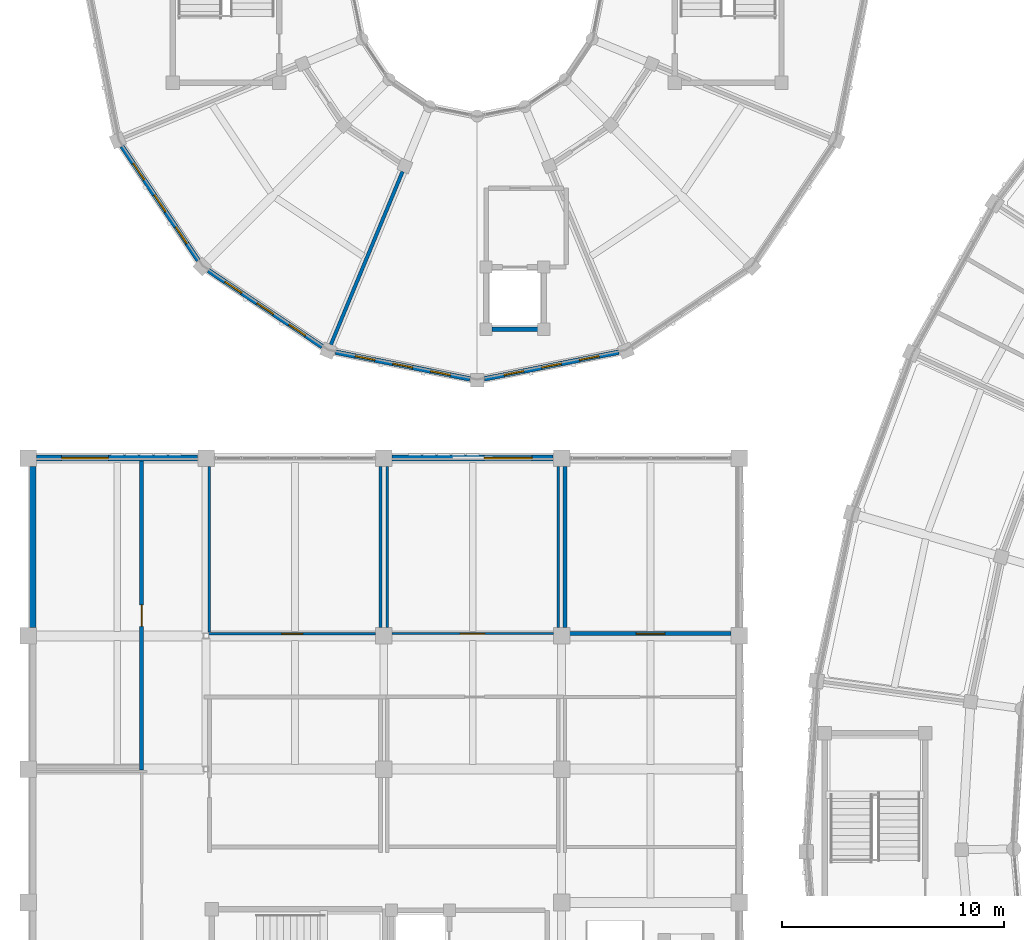
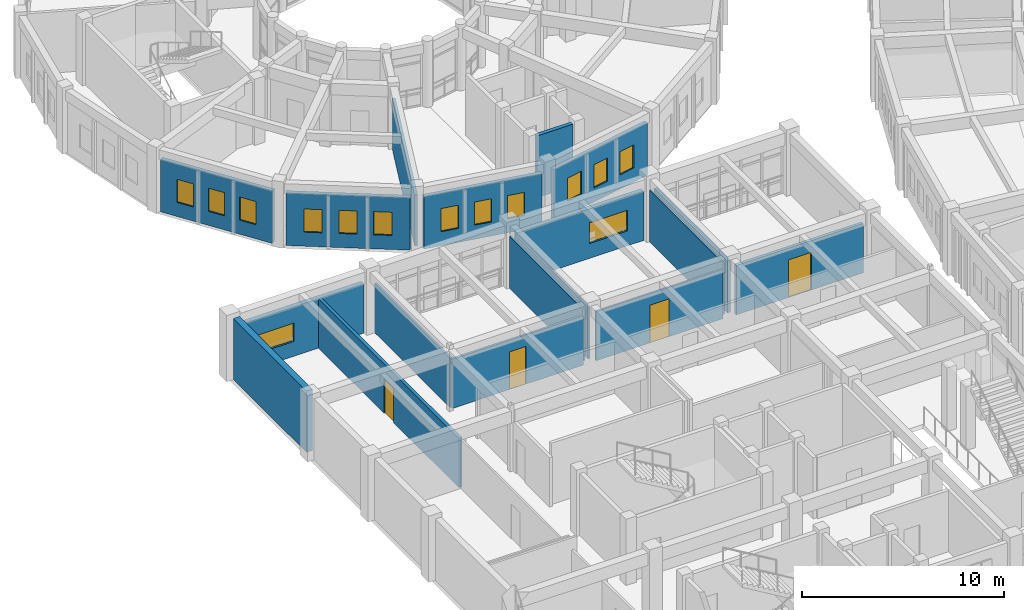
# One storey, part 126 of 159: 18 walls, 14 windows, 4 doors, 18 openings.
"""IFC4 building model written with IfcOpenShell, lengths in metres."""

from ifc_helpers import new_model, si_unit, direction, frame, frame_2d, origin, place, context, subcontext, project, spatial, rectangle, extrude, material, layer, layer_set, type_object, element, fill, save


model = new_model("IFC4")

# Units and contexts
model_context = context("Model", 3, precision=1e-05, world=origin(), true_north=direction((0.0, 1.0)))
body_context = subcontext(model_context, "Body", "Model", "MODEL_VIEW")
ifc_project = project(units=[si_unit("LENGTHUNIT", "METRE"), si_unit("AREAUNIT", "SQUARE_METRE"), si_unit("VOLUMEUNIT", "CUBIC_METRE"), si_unit("PLANEANGLEUNIT", "RADIAN"), si_unit("MASSUNIT", "GRAM", prefix="KILO")], contexts=[model_context])

# Site, building, storey
site_placement = place(None, origin())
site = spatial("IfcSite", under=ifc_project, at=site_placement, CompositionType="ELEMENT")
building_placement = place(site_placement, origin())
building = spatial("IfcBuilding", under=site, at=building_placement, Name="Celadon Cloister-Ring School", CompositionType="ELEMENT")
storey_placement = place(building_placement, frame((0.0, 0.0, 4.5)))
storey = spatial("IfcBuildingStorey", under=building, at=storey_placement, Name="L01", CompositionType="ELEMENT", Elevation=4.5)

# Wall, opening, window
ifc_material_1 = material(Name="Rendered concrete blockwork", Category="masonry")
ifc_layer_1 = layer(ifc_material_1, 0.260009765625)
ifc_layer_set_1 = layer_set([ifc_layer_1], Name="Rendered concrete blockwork")
wall_type_1 = type_object("IfcWallType", Name="WT-EX2", PredefinedType="SOLIDWALL", material=ifc_layer_set_1)
wall_1_placement = place(storey_placement, frame((0.376953125, 76.0, 0.0), z_axis=(0.0, 0.0, 1.0), x_axis=(1.0, 0.0, 0.0)))
wall_1 = element("IfcWall", 1, at=wall_1_placement, inside=storey, type_object=wall_type_1, Name="Exterior Wall 0501", PredefinedType="SOLIDWALL", context=body_context, shape_type="SweptSolid", body=[
    extrude(rectangle(XDim=7.24609375, YDim=0.260009765625, at=frame_2d((3.623046875, 0.0))), origin(), (0.0, 0.0, 1.0), 2.98193359375),
])
opening_1_placement = place(wall_1_placement, frame((1.1240234375, 0.0, 0.89990234375)))
opening_1 = element("IfcOpeningElement", 2, at=opening_1_placement, cuts=wall_1, Name="Opening WN-09", PredefinedType="OPENING", context=body_context, shape_type="SweptSolid", body=[
    extrude(rectangle(XDim=2.10009765625, YDim=1.10009765625, at=frame_2d((1.050048828125, 0.550048828125))), frame((0.0, 0.14013671875, 0.0), z_axis=(0.0, -1.0, 0.0), x_axis=(1.0, 0.0, 0.0)), (0.0, 0.0, 1.0), 0.280029296875),
])
ifc_material_2 = material(Name="Tempered laminated insulating glass", Category="glass")
window_type_1 = type_object("IfcWindowType", Name="WN-09", PartitioningType="DOUBLE_PANEL_VERTICAL", PredefinedType="WINDOW", material=ifc_material_2)
window_1_placement = place(opening_1_placement, origin())
window_1 = element("IfcWindow", 3, at=window_1_placement, inside=storey, type_object=window_type_1, Name="Window 0998", OverallHeight=1.10009765625, OverallWidth=2.10009765625, PartitioningType="SINGLE_PANEL", PredefinedType="WINDOW", context=body_context, shape_type="SweptSolid", body=[
    extrude(rectangle(XDim=2.10009765625, YDim=1.10009765625, at=frame_2d((1.050048828125, 0.550048828125))), frame((0.0, 0.030029296875, 0.0), z_axis=(0.0, -1.0, 0.0), x_axis=(1.0, 0.0, 0.0)), (0.0, 0.0, 1.0), 0.06005859375),
])
fill(opening_1, window_1)

wall_2_placement = place(storey_placement, frame((16.376953125, 76.0, 0.0), z_axis=(0.0, 0.0, 1.0), x_axis=(1.0, 0.0, 0.0)))
wall_2 = element("IfcWall", 4, at=wall_2_placement, inside=storey, type_object=wall_type_1, Name="Exterior Wall 0502", PredefinedType="SOLIDWALL", context=body_context, shape_type="SweptSolid", body=[
    extrude(rectangle(XDim=7.24609375, YDim=0.260009765625, at=frame_2d((3.623046875, 0.0))), origin(), (0.0, 0.0, 1.0), 2.98193359375),
])
opening_2_placement = place(wall_2_placement, frame((4.14208984375, 0.0, 0.89990234375)))
opening_2 = element("IfcOpeningElement", 5, at=opening_2_placement, cuts=wall_2, Name="Opening WN-19", PredefinedType="OPENING", context=body_context, shape_type="SweptSolid", body=[
    extrude(rectangle(XDim=2.14990234375, YDim=1.25, at=frame_2d((1.074951171875, 0.625))), frame((0.0, 0.14013671875, 0.0), z_axis=(0.0, -1.0, 0.0), x_axis=(1.0, 0.0, 0.0)), (0.0, 0.0, 1.0), 0.280029296875),
])
ifc_material_3 = material(Name="Tempered laminated insulating glass", Category="glass")
window_type_2 = type_object("IfcWindowType", Name="WN-19", PartitioningType="DOUBLE_PANEL_VERTICAL", PredefinedType="WINDOW", material=ifc_material_3)
window_2_placement = place(opening_2_placement, origin())
window_2 = element("IfcWindow", 6, at=window_2_placement, inside=storey, type_object=window_type_2, Name="Window 0999", OverallHeight=1.25, OverallWidth=2.14990234375, PartitioningType="SINGLE_PANEL", PredefinedType="WINDOW", context=body_context, shape_type="SweptSolid", body=[
    extrude(rectangle(XDim=2.14990234375, YDim=1.25, at=frame_2d((1.074951171875, 0.625))), frame((0.0, 0.030029296875, 0.0), z_axis=(0.0, -1.0, 0.0), x_axis=(1.0, 0.0, 0.0)), (0.0, 0.0, 1.0), 0.06005859375),
])
fill(opening_2, window_2)

# Wall, openings, windows
ifc_material_4 = material(Name="Perforated terracotta clay brick masonry", Category="masonry")
ifc_layer_2 = layer(ifc_material_4, 0.219970703125)
ifc_layer_set_2 = layer_set([ifc_layer_2], Name="Perforated terracotta clay brick masonry")
wall_type_2 = type_object("IfcWallType", Name="WT-EX4", PredefinedType="SOLIDWALL", material=ifc_layer_set_2)
wall_3_placement = place(storey_placement, frame((7.64306640625, 84.89990234375, 0.0), z_axis=(0.0, 0.0, 1.0), x_axis=(-0.555658736667, 0.831410469242, 0.0)))
wall_3 = element("IfcWall", 7, at=wall_3_placement, inside=storey, type_object=wall_type_2, Name="Exterior Wall 0242", PredefinedType="SOLIDWALL", context=body_context, shape_type="SweptSolid", body=[
    extrude(rectangle(XDim=6.169189453125, YDim=0.219970703125, at=frame_2d((3.08447265625, 0.0))), origin(), (0.0, 0.0, 1.0), 3.172119140625),
])
opening_3_placement = place(wall_3_placement, frame((0.906982421875, 0.0, 0.85009765625)))
opening_3 = element("IfcOpeningElement", 8, at=opening_3_placement, cuts=wall_3, Name="Opening WN-21", PredefinedType="OPENING", context=body_context, shape_type="SweptSolid", body=[
    extrude(rectangle(XDim=0.89990234375, YDim=1.39990234375, at=frame_2d((0.449951171875, 0.699951171875))), frame((0.0, 0.1201171875, 0.0), z_axis=(0.0, -1.0, 0.0), x_axis=(1.0, 0.0, 0.0)), (0.0, 0.0, 1.0), 0.239990234375),
])
opening_4_placement = place(wall_3_placement, frame((2.635009765625, 0.0, 0.85009765625)))
opening_4 = element("IfcOpeningElement", 9, at=opening_4_placement, cuts=wall_3, Name="Opening WN-21", PredefinedType="OPENING", context=body_context, shape_type="SweptSolid", body=[
    extrude(rectangle(XDim=0.89990234375, YDim=1.39990234375, at=frame_2d((0.449951171875, 0.699951171875))), frame((0.0, 0.1201171875, 0.0), z_axis=(0.0, -1.0, 0.0), x_axis=(1.0, 0.0, 0.0)), (0.0, 0.0, 1.0), 0.239990234375),
])
opening_5_placement = place(wall_3_placement, frame((4.362060546875, 0.0, 0.85009765625)))
opening_5 = element("IfcOpeningElement", 10, at=opening_5_placement, cuts=wall_3, Name="Opening WN-21", PredefinedType="OPENING", context=body_context, shape_type="SweptSolid", body=[
    extrude(rectangle(XDim=0.89990234375, YDim=1.39990234375, at=frame_2d((0.449951171875, 0.699951171875))), frame((0.0, 0.1201171875, 0.0), z_axis=(0.0, -1.0, 0.0), x_axis=(1.0, 0.0, 0.0)), (0.0, 0.0, 1.0), 0.239990234375),
])
ifc_material_5 = material(Name="Tempered laminated insulating glass", Category="glass")
window_type_3 = type_object("IfcWindowType", Name="WN-21", PartitioningType="SINGLE_PANEL", PredefinedType="WINDOW", material=ifc_material_5)
window_3_placement = place(opening_3_placement, origin())
window_3 = element("IfcWindow", 11, at=window_3_placement, inside=storey, type_object=window_type_3, Name="Window 0646", OverallHeight=1.39990234375, OverallWidth=0.89990234375, PartitioningType="SINGLE_PANEL", PredefinedType="WINDOW", context=body_context, shape_type="SweptSolid", body=[
    extrude(rectangle(XDim=0.89990234375, YDim=1.39990234375, at=frame_2d((0.449951171875, 0.699951171875))), frame((0.0, 0.030029296875, 0.0), z_axis=(0.0, -1.0, 0.0), x_axis=(1.0, 0.0, 0.0)), (0.0, 0.0, 1.0), 0.06005859375),
])
fill(opening_3, window_3)
window_4_placement = place(opening_4_placement, origin())
window_4 = element("IfcWindow", 12, at=window_4_placement, inside=storey, type_object=window_type_3, Name="Window 0647", OverallHeight=1.39990234375, OverallWidth=0.89990234375, PartitioningType="SINGLE_PANEL", PredefinedType="WINDOW", context=body_context, shape_type="SweptSolid", body=[
    extrude(rectangle(XDim=0.89990234375, YDim=1.39990234375, at=frame_2d((0.449951171875, 0.699951171875))), frame((0.0, 0.030029296875, 0.0), z_axis=(0.0, -1.0, 0.0), x_axis=(1.0, 0.0, 0.0)), (0.0, 0.0, 1.0), 0.06005859375),
])
fill(opening_4, window_4)
window_5_placement = place(opening_5_placement, origin())
window_5 = element("IfcWindow", 13, at=window_5_placement, inside=storey, type_object=window_type_3, Name="Window 0648", OverallHeight=1.39990234375, OverallWidth=0.89990234375, PartitioningType="SINGLE_PANEL", PredefinedType="WINDOW", context=body_context, shape_type="SweptSolid", body=[
    extrude(rectangle(XDim=0.89990234375, YDim=1.39990234375, at=frame_2d((0.449951171875, 0.699951171875))), frame((0.0, 0.030029296875, 0.0), z_axis=(0.0, -1.0, 0.0), x_axis=(1.0, 0.0, 0.0)), (0.0, 0.0, 1.0), 0.06005859375),
])
fill(opening_5, window_5)

wall_4_placement = place(storey_placement, frame((13.22900390625, 81.014892578125, 0.0), z_axis=(0.0, 0.0, 1.0), x_axis=(-0.831379966495, 0.555704374025, 0.0)))
wall_4 = element("IfcWall", 14, at=wall_4_placement, inside=storey, type_object=wall_type_2, Name="Exterior Wall 0243", PredefinedType="SOLIDWALL", context=body_context, shape_type="SweptSolid", body=[
    extrude(rectangle(XDim=6.169189453125, YDim=0.219970703125, at=frame_2d((3.08447265625, 0.0))), origin(), (0.0, 0.0, 1.0), 3.172119140625),
])
opening_6_placement = place(wall_4_placement, frame((0.906982421875, 0.0, 0.85009765625)))
opening_6 = element("IfcOpeningElement", 15, at=opening_6_placement, cuts=wall_4, Name="Opening WN-21", PredefinedType="OPENING", context=body_context, shape_type="SweptSolid", body=[
    extrude(rectangle(XDim=0.89990234375, YDim=1.39990234375, at=frame_2d((0.449951171875, 0.699951171875))), frame((0.0, 0.1201171875, 0.0), z_axis=(0.0, -1.0, 0.0), x_axis=(1.0, 0.0, 0.0)), (0.0, 0.0, 1.0), 0.239990234375),
])
opening_7_placement = place(wall_4_placement, frame((2.635009765625, 0.0, 0.85009765625)))
opening_7 = element("IfcOpeningElement", 16, at=opening_7_placement, cuts=wall_4, Name="Opening WN-21", PredefinedType="OPENING", context=body_context, shape_type="SweptSolid", body=[
    extrude(rectangle(XDim=0.89990234375, YDim=1.39990234375, at=frame_2d((0.449951171875, 0.699951171875))), frame((0.0, 0.1201171875, 0.0), z_axis=(0.0, -1.0, 0.0), x_axis=(1.0, 0.0, 0.0)), (0.0, 0.0, 1.0), 0.239990234375),
])
opening_8_placement = place(wall_4_placement, frame((4.362060546875, 0.0, 0.85009765625)))
opening_8 = element("IfcOpeningElement", 17, at=opening_8_placement, cuts=wall_4, Name="Opening WN-21", PredefinedType="OPENING", context=body_context, shape_type="SweptSolid", body=[
    extrude(rectangle(XDim=0.89990234375, YDim=1.39990234375, at=frame_2d((0.449951171875, 0.699951171875))), frame((0.0, 0.1201171875, 0.0), z_axis=(0.0, -1.0, 0.0), x_axis=(1.0, 0.0, 0.0)), (0.0, 0.0, 1.0), 0.239990234375),
])
window_6_placement = place(opening_6_placement, origin())
window_6 = element("IfcWindow", 18, at=window_6_placement, inside=storey, type_object=window_type_3, Name="Window 0649", OverallHeight=1.39990234375, OverallWidth=0.89990234375, PartitioningType="SINGLE_PANEL", PredefinedType="WINDOW", context=body_context, shape_type="SweptSolid", body=[
    extrude(rectangle(XDim=0.89990234375, YDim=1.39990234375, at=frame_2d((0.449951171875, 0.699951171875))), frame((0.0, 0.030029296875, 0.0), z_axis=(0.0, -1.0, 0.0), x_axis=(1.0, 0.0, 0.0)), (0.0, 0.0, 1.0), 0.06005859375),
])
fill(opening_6, window_6)
window_7_placement = place(opening_7_placement, origin())
window_7 = element("IfcWindow", 19, at=window_7_placement, inside=storey, type_object=window_type_3, Name="Window 0650", OverallHeight=1.39990234375, OverallWidth=0.89990234375, PartitioningType="SINGLE_PANEL", PredefinedType="WINDOW", context=body_context, shape_type="SweptSolid", body=[
    extrude(rectangle(XDim=0.89990234375, YDim=1.39990234375, at=frame_2d((0.449951171875, 0.699951171875))), frame((0.0, 0.030029296875, 0.0), z_axis=(0.0, -1.0, 0.0), x_axis=(1.0, 0.0, 0.0)), (0.0, 0.0, 1.0), 0.06005859375),
])
fill(opening_7, window_7)
window_8_placement = place(opening_8_placement, origin())
window_8 = element("IfcWindow", 20, at=window_8_placement, inside=storey, type_object=window_type_3, Name="Window 0651", OverallHeight=1.39990234375, OverallWidth=0.89990234375, PartitioningType="SINGLE_PANEL", PredefinedType="WINDOW", context=body_context, shape_type="SweptSolid", body=[
    extrude(rectangle(XDim=0.89990234375, YDim=1.39990234375, at=frame_2d((0.449951171875, 0.699951171875))), frame((0.0, 0.030029296875, 0.0), z_axis=(0.0, -1.0, 0.0), x_axis=(1.0, 0.0, 0.0)), (0.0, 0.0, 1.0), 0.06005859375),
])
fill(opening_8, window_8)

wall_5_placement = place(storey_placement, frame((19.876953125, 79.56396484375, 0.0), z_axis=(0.0, 0.0, 1.0), x_axis=(-0.980770460131, 0.195164813773, 0.0)))
wall_5 = element("IfcWall", 21, at=wall_5_placement, inside=storey, type_object=wall_type_2, Name="Exterior Wall 0245", PredefinedType="SOLIDWALL", context=body_context, shape_type="SweptSolid", body=[
    extrude(rectangle(XDim=6.169677734375, YDim=0.219970703125, at=frame_2d((3.0849609375, 0.0))), origin(), (0.0, 0.0, 1.0), 3.172119140625),
])
opening_9_placement = place(wall_5_placement, frame((0.906982421875, 0.0, 0.85009765625)))
opening_9 = element("IfcOpeningElement", 22, at=opening_9_placement, cuts=wall_5, Name="Opening WN-21", PredefinedType="OPENING", context=body_context, shape_type="SweptSolid", body=[
    extrude(rectangle(XDim=0.89990234375, YDim=1.39990234375, at=frame_2d((0.449951171875, 0.699951171875))), frame((0.0, 0.1201171875, 0.0), z_axis=(0.0, -1.0, 0.0), x_axis=(1.0, 0.0, 0.0)), (0.0, 0.0, 1.0), 0.239990234375),
])
opening_10_placement = place(wall_5_placement, frame((2.635009765625, 0.0, 0.85009765625)))
opening_10 = element("IfcOpeningElement", 23, at=opening_10_placement, cuts=wall_5, Name="Opening WN-21", PredefinedType="OPENING", context=body_context, shape_type="SweptSolid", body=[
    extrude(rectangle(XDim=0.89990234375, YDim=1.39990234375, at=frame_2d((0.449951171875, 0.699951171875))), frame((0.0, 0.1201171875, 0.0), z_axis=(0.0, -1.0, 0.0), x_axis=(1.0, 0.0, 0.0)), (0.0, 0.0, 1.0), 0.239990234375),
])
opening_11_placement = place(wall_5_placement, frame((4.362060546875, 0.0, 0.85009765625)))
opening_11 = element("IfcOpeningElement", 24, at=opening_11_placement, cuts=wall_5, Name="Opening WN-21", PredefinedType="OPENING", context=body_context, shape_type="SweptSolid", body=[
    extrude(rectangle(XDim=0.89990234375, YDim=1.39990234375, at=frame_2d((0.449951171875, 0.699951171875))), frame((0.0, 0.1201171875, 0.0), z_axis=(0.0, -1.0, 0.0), x_axis=(1.0, 0.0, 0.0)), (0.0, 0.0, 1.0), 0.239990234375),
])
window_9_placement = place(opening_9_placement, origin())
window_9 = element("IfcWindow", 25, at=window_9_placement, inside=storey, type_object=window_type_3, Name="Window 0652", OverallHeight=1.39990234375, OverallWidth=0.89990234375, PartitioningType="SINGLE_PANEL", PredefinedType="WINDOW", context=body_context, shape_type="SweptSolid", body=[
    extrude(rectangle(XDim=0.89990234375, YDim=1.39990234375, at=frame_2d((0.449951171875, 0.699951171875))), frame((0.0, 0.030029296875, 0.0), z_axis=(0.0, -1.0, 0.0), x_axis=(1.0, 0.0, 0.0)), (0.0, 0.0, 1.0), 0.06005859375),
])
fill(opening_9, window_9)
window_10_placement = place(opening_10_placement, origin())
window_10 = element("IfcWindow", 26, at=window_10_placement, inside=storey, type_object=window_type_3, Name="Window 0653", OverallHeight=1.39990234375, OverallWidth=0.89990234375, PartitioningType="SINGLE_PANEL", PredefinedType="WINDOW", context=body_context, shape_type="SweptSolid", body=[
    extrude(rectangle(XDim=0.89990234375, YDim=1.39990234375, at=frame_2d((0.449951171875, 0.699951171875))), frame((0.0, 0.030029296875, 0.0), z_axis=(0.0, -1.0, 0.0), x_axis=(1.0, 0.0, 0.0)), (0.0, 0.0, 1.0), 0.06005859375),
])
fill(opening_10, window_10)
window_11_placement = place(opening_11_placement, origin())
window_11 = element("IfcWindow", 27, at=window_11_placement, inside=storey, type_object=window_type_3, Name="Window 0654", OverallHeight=1.39990234375, OverallWidth=0.89990234375, PartitioningType="SINGLE_PANEL", PredefinedType="WINDOW", context=body_context, shape_type="SweptSolid", body=[
    extrude(rectangle(XDim=0.89990234375, YDim=1.39990234375, at=frame_2d((0.449951171875, 0.699951171875))), frame((0.0, 0.030029296875, 0.0), z_axis=(0.0, -1.0, 0.0), x_axis=(1.0, 0.0, 0.0)), (0.0, 0.0, 1.0), 0.06005859375),
])
fill(opening_11, window_11)

wall_6_placement = place(storey_placement, frame((26.573974609375, 80.76806640625, 0.0), z_axis=(0.0, 0.0, 1.0), x_axis=(-0.980770460131, -0.195164813773, 0.0)))
wall_6 = element("IfcWall", 28, at=wall_6_placement, inside=storey, type_object=wall_type_2, Name="Exterior Wall 0246", PredefinedType="SOLIDWALL", context=body_context, shape_type="SweptSolid", body=[
    extrude(rectangle(XDim=6.169677734375, YDim=0.219970703125, at=frame_2d((3.0849609375, 0.0))), origin(), (0.0, 0.0, 1.0), 3.172119140625),
])
opening_12_placement = place(wall_6_placement, frame((0.906982421875, 0.0, 0.85009765625)))
opening_12 = element("IfcOpeningElement", 29, at=opening_12_placement, cuts=wall_6, Name="Opening WN-21", PredefinedType="OPENING", context=body_context, shape_type="SweptSolid", body=[
    extrude(rectangle(XDim=0.89990234375, YDim=1.39990234375, at=frame_2d((0.449951171875, 0.699951171875))), frame((0.0, 0.1201171875, 0.0), z_axis=(0.0, -1.0, 0.0), x_axis=(1.0, 0.0, 0.0)), (0.0, 0.0, 1.0), 0.239990234375),
])
opening_13_placement = place(wall_6_placement, frame((2.635009765625, 0.0, 0.85009765625)))
opening_13 = element("IfcOpeningElement", 30, at=opening_13_placement, cuts=wall_6, Name="Opening WN-21", PredefinedType="OPENING", context=body_context, shape_type="SweptSolid", body=[
    extrude(rectangle(XDim=0.89990234375, YDim=1.39990234375, at=frame_2d((0.449951171875, 0.699951171875))), frame((0.0, 0.1201171875, 0.0), z_axis=(0.0, -1.0, 0.0), x_axis=(1.0, 0.0, 0.0)), (0.0, 0.0, 1.0), 0.239990234375),
])
opening_14_placement = place(wall_6_placement, frame((4.362060546875, 0.0, 0.85009765625)))
opening_14 = element("IfcOpeningElement", 31, at=opening_14_placement, cuts=wall_6, Name="Opening WN-21", PredefinedType="OPENING", context=body_context, shape_type="SweptSolid", body=[
    extrude(rectangle(XDim=0.89990234375, YDim=1.39990234375, at=frame_2d((0.449951171875, 0.699951171875))), frame((0.0, 0.1201171875, 0.0), z_axis=(0.0, -1.0, 0.0), x_axis=(1.0, 0.0, 0.0)), (0.0, 0.0, 1.0), 0.239990234375),
])
window_12_placement = place(opening_12_placement, origin())
window_12 = element("IfcWindow", 32, at=window_12_placement, inside=storey, type_object=window_type_3, Name="Window 0655", OverallHeight=1.39990234375, OverallWidth=0.89990234375, PartitioningType="SINGLE_PANEL", PredefinedType="WINDOW", context=body_context, shape_type="SweptSolid", body=[
    extrude(rectangle(XDim=0.89990234375, YDim=1.39990234375, at=frame_2d((0.449951171875, 0.699951171875))), frame((0.0, 0.030029296875, 0.0), z_axis=(0.0, -1.0, 0.0), x_axis=(1.0, 0.0, 0.0)), (0.0, 0.0, 1.0), 0.06005859375),
])
fill(opening_12, window_12)
window_13_placement = place(opening_13_placement, origin())
window_13 = element("IfcWindow", 33, at=window_13_placement, inside=storey, type_object=window_type_3, Name="Window 0656", OverallHeight=1.39990234375, OverallWidth=0.89990234375, PartitioningType="SINGLE_PANEL", PredefinedType="WINDOW", context=body_context, shape_type="SweptSolid", body=[
    extrude(rectangle(XDim=0.89990234375, YDim=1.39990234375, at=frame_2d((0.449951171875, 0.699951171875))), frame((0.0, 0.030029296875, 0.0), z_axis=(0.0, -1.0, 0.0), x_axis=(1.0, 0.0, 0.0)), (0.0, 0.0, 1.0), 0.06005859375),
])
fill(opening_13, window_13)
window_14_placement = place(opening_14_placement, origin())
window_14 = element("IfcWindow", 34, at=window_14_placement, inside=storey, type_object=window_type_3, Name="Window 0657", OverallHeight=1.39990234375, OverallWidth=0.89990234375, PartitioningType="SINGLE_PANEL", PredefinedType="WINDOW", context=body_context, shape_type="SweptSolid", body=[
    extrude(rectangle(XDim=0.89990234375, YDim=1.39990234375, at=frame_2d((0.449951171875, 0.699951171875))), frame((0.0, 0.030029296875, 0.0), z_axis=(0.0, -1.0, 0.0), x_axis=(1.0, 0.0, 0.0)), (0.0, 0.0, 1.0), 0.06005859375),
])
fill(opening_14, window_14)

# Wall
ifc_material_6 = material(Name="Concrete C40/50", Category="concrete")
ifc_layer_3 = layer(ifc_material_6, 0.35009765625)
ifc_layer_set_3 = layer_set([ifc_layer_3], Name="Concrete C40/50")
wall_type_3 = type_object("IfcWallType", Name="WT-FW2", PredefinedType="SHEAR", material=ifc_layer_set_3)
wall_7_placement = place(storey_placement, frame((0.175048828125, 68.376953125, 0.0), z_axis=(0.0, 0.0, 1.0), x_axis=(0.0, 1.0, 0.0)))
element("IfcWall", 35, at=wall_7_placement, inside=storey, type_object=wall_type_3, Name="Exterior Wall 0514", PredefinedType="SHEAR", context=body_context, shape_type="SweptSolid", body=[
    extrude(rectangle(XDim=7.24609375, YDim=0.35009765625, at=frame_2d((3.623046875, 0.0))), origin(), (0.0, 0.0, 1.0), 3.699951171875),
])

# Wall, opening, door
ifc_material_7 = material(Name="Plastered hollow concrete masonry", Category="masonry")
ifc_layer_4 = layer(ifc_material_7, 0.179931640625)
ifc_layer_set_4 = layer_set([ifc_layer_4], Name="Plastered hollow concrete masonry")
wall_type_4 = type_object("IfcWallType", Name="WT-PT2", PredefinedType="PARTITIONING", material=ifc_layer_set_4)
wall_8_placement = place(storey_placement, frame((31.633056640625, 68.10009765625, 0.0), z_axis=(0.0, 0.0, 1.0), x_axis=(-1.0, 0.0, 0.0)))
wall_8 = element("IfcWall", 36, at=wall_8_placement, inside=storey, type_object=wall_type_4, Name="Interior Wall 0999", PredefinedType="PARTITIONING", context=body_context, shape_type="SweptSolid", body=[
    extrude(rectangle(XDim=7.26611328125, YDim=0.179931640625, at=frame_2d((3.633056640625, 0.0))), origin(), (0.0, 0.0, 1.0), 2.98193359375),
])
opening_15_placement = place(wall_8_placement, frame((2.98291015625, 0.0, 0.0)))
opening_15 = element("IfcOpeningElement", 37, at=opening_15_placement, cuts=wall_8, Name="Opening D-0358", PredefinedType="OPENING", context=body_context, shape_type="SweptSolid", body=[
    extrude(rectangle(XDim=1.300048828125, YDim=2.280029296875, at=frame_2d((0.64990234375, 1.14013671875))), frame((0.0, 0.10009765625, 0.0), z_axis=(0.0, -1.0, 0.0), x_axis=(1.0, 0.0, 0.0)), (0.0, 0.0, 1.0), 0.199951171875),
])
ifc_material_8 = material(Name="Galvanised fire-rated hollow steel leaf", Category="steel")
door_type_1 = type_object("IfcDoorType", Name="DT-16", OperationType="NOTDEFINED", PredefinedType="DOOR", material=ifc_material_8)
door_1_placement = place(opening_15_placement, origin())
door_1 = element("IfcDoor", 38, at=door_1_placement, inside=storey, type_object=door_type_1, Name="Door D-0358", OperationType="SINGLE_SWING_RIGHT", OverallHeight=2.280029296875, OverallWidth=1.300048828125, PredefinedType="DOOR", context=body_context, shape_type="SweptSolid", body=[
    extrude(rectangle(XDim=1.300048828125, YDim=2.280029296875, at=frame_2d((0.64990234375, 1.14013671875))), frame((0.0, 0.02490234375, 0.0), z_axis=(0.0, -1.0, 0.0), x_axis=(1.0, 0.0, 0.0)), (0.0, 0.0, 1.0), 0.050048828125),
])
fill(opening_15, door_1)

# Wall
wall_9_placement = place(storey_placement, frame((24.14990234375, 68.366943359375, 0.0), z_axis=(0.0, 0.0, 1.0), x_axis=(0.0, 1.0, 0.0)))
element("IfcWall", 39, at=wall_9_placement, inside=storey, type_object=wall_type_4, Name="Interior Wall 1000", PredefinedType="PARTITIONING", context=body_context, shape_type="SweptSolid", body=[
    extrude(rectangle(XDim=7.26611328125, YDim=0.179931640625, at=frame_2d((3.633056640625, 0.0))), origin(), (0.0, 0.0, 1.0), 3.132080078125),
])

# Wall, opening, door
wall_10_placement = place(storey_placement, frame((5.10009765625, 75.866943359375, 0.0), z_axis=(0.0, 0.0, 1.0), x_axis=(0.0, -1.0, 0.0)))
wall_10 = element("IfcWall", 40, at=wall_10_placement, inside=storey, type_object=wall_type_4, Name="Interior Wall 1012", PredefinedType="PARTITIONING", context=body_context, shape_type="SweptSolid", body=[
    extrude(rectangle(XDim=13.9140625, YDim=0.179931640625, at=frame_2d((6.95703125, 0.0))), origin(), (0.0, 0.0, 1.0), 2.98193359375),
])
opening_16_placement = place(wall_10_placement, frame((6.47705078125, 0.0, 0.0)))
opening_16 = element("IfcOpeningElement", 41, at=opening_16_placement, cuts=wall_10, Name="Opening D-0363", PredefinedType="OPENING", context=body_context, shape_type="SweptSolid", body=[
    extrude(rectangle(XDim=0.9599609375, YDim=2.10009765625, at=frame_2d((0.47998046875, 1.050048828125))), frame((0.0, 0.10009765625, 0.0), z_axis=(0.0, -1.0, 0.0), x_axis=(1.0, 0.0, 0.0)), (0.0, 0.0, 1.0), 0.199951171875),
])
ifc_material_9 = material(Name="Solid-core fire-rated hardwood leaf", Category="wood")
door_type_2 = type_object("IfcDoorType", Name="DT-03", OperationType="NOTDEFINED", PredefinedType="DOOR", material=ifc_material_9)
door_2_placement = place(opening_16_placement, origin())
door_2 = element("IfcDoor", 42, at=door_2_placement, inside=storey, type_object=door_type_2, Name="Door D-0363", OperationType="SINGLE_SWING_LEFT", OverallHeight=2.10009765625, OverallWidth=0.9599609375, PredefinedType="DOOR", context=body_context, shape_type="SweptSolid", body=[
    extrude(rectangle(XDim=0.9599609375, YDim=2.10009765625, at=frame_2d((0.47998046875, 1.050048828125))), frame((0.0, 0.02490234375, 0.0), z_axis=(0.0, -1.0, 0.0), x_axis=(1.0, 0.0, 0.0)), (0.0, 0.0, 1.0), 0.050048828125),
])
fill(opening_16, door_2)

# Walls
ifc_material_10 = material(Name="Plastered hollow concrete masonry", Category="masonry")
ifc_layer_5 = layer(ifc_material_10, 0.159912109375)
ifc_layer_set_5 = layer_set([ifc_layer_5], Name="Plastered hollow concrete masonry")
wall_type_5 = type_object("IfcWallType", Name="WT-PT3", PredefinedType="PARTITIONING", material=ifc_layer_set_5)
wall_11_placement = place(storey_placement, frame((16.844970703125, 88.89990234375, 0.0), z_axis=(0.0, 0.0, 1.0), x_axis=(-0.382683896966, -0.923879340067, 0.0)))
element("IfcWall", 43, at=wall_11_placement, inside=storey, type_object=wall_type_5, Name="Interior Wall 0681", PredefinedType="PARTITIONING", context=body_context, shape_type="SweptSolid", body=[
    extrude(rectangle(XDim=8.4404296875, YDim=0.159912109375, at=frame_2d((4.22021484375, 0.0))), origin(), (0.0, 0.0, 1.0), 3.072021484375),
])
ifc_material_11 = material(Name="Acoustic mineral-wool drywall partition")
ifc_layer_6 = layer(ifc_material_11, 0.1201171875)
ifc_layer_set_6 = layer_set([ifc_layer_6], Name="Acoustic mineral-wool drywall partition")
wall_type_6 = type_object("IfcWallType", Name="WT-PT5", PredefinedType="PARTITIONING", material=ifc_layer_set_6)
wall_12_placement = place(storey_placement, frame((15.85009765625, 75.633056640625, 0.0), z_axis=(0.0, 0.0, 1.0), x_axis=(0.0, -1.0, 0.0)))
element("IfcWall", 44, at=wall_12_placement, inside=storey, type_object=wall_type_6, Name="Interior Wall 0993", PredefinedType="PARTITIONING", context=body_context, shape_type="SweptSolid", body=[
    extrude(rectangle(XDim=7.26611328125, YDim=0.1201171875, at=frame_2d((3.633056640625, 0.0))), origin(), (0.0, 0.0, 1.0), 3.132080078125),
])

# Wall, opening, door
wall_13_placement = place(storey_placement, frame((15.633056640625, 68.10009765625, 0.0), z_axis=(0.0, 0.0, 1.0), x_axis=(-1.0, 0.0, 0.0)))
wall_13 = element("IfcWall", 45, at=wall_13_placement, inside=storey, type_object=wall_type_6, Name="Interior Wall 0994", PredefinedType="PARTITIONING", context=body_context, shape_type="SweptSolid", body=[
    extrude(rectangle(XDim=7.51611328125, YDim=0.1201171875, at=frame_2d((3.758056640625, 0.0))), origin(), (0.0, 0.0, 1.0), 2.98193359375),
])
opening_17_placement = place(wall_13_placement, frame((3.282958984375, 0.0, 0.0)))
opening_17 = element("IfcOpeningElement", 46, at=opening_17_placement, cuts=wall_13, Name="Opening D-0356", PredefinedType="OPENING", context=body_context, shape_type="SweptSolid", body=[
    extrude(rectangle(XDim=0.949951171875, YDim=2.280029296875, at=frame_2d((0.47509765625, 1.14013671875))), frame((0.0, 0.070068359375, 0.0), z_axis=(0.0, -1.0, 0.0), x_axis=(1.0, 0.0, 0.0)), (0.0, 0.0, 1.0), 0.14013671875),
])
ifc_material_12 = material(Name="Solid-core fire-rated hardwood leaf", Category="wood")
door_type_3 = type_object("IfcDoorType", Name="DT-14", OperationType="NOTDEFINED", PredefinedType="DOOR", material=ifc_material_12)
door_3_placement = place(opening_17_placement, origin())
door_3 = element("IfcDoor", 47, at=door_3_placement, inside=storey, type_object=door_type_3, Name="Door D-0356", OperationType="SINGLE_SWING_RIGHT", OverallHeight=2.280029296875, OverallWidth=0.949951171875, PredefinedType="DOOR", context=body_context, shape_type="SweptSolid", body=[
    extrude(rectangle(XDim=0.949951171875, YDim=2.280029296875, at=frame_2d((0.47509765625, 1.14013671875))), frame((0.0, 0.02490234375, 0.0), z_axis=(0.0, -1.0, 0.0), x_axis=(1.0, 0.0, 0.0)), (0.0, 0.0, 1.0), 0.050048828125),
])
fill(opening_17, door_3)

# Walls
wall_14_placement = place(storey_placement, frame((8.14990234375, 68.1630859375, 0.0), z_axis=(0.0, 0.0, 1.0), x_axis=(0.0, 1.0, 0.0)))
element("IfcWall", 48, at=wall_14_placement, inside=storey, type_object=wall_type_6, Name="Interior Wall 0995", PredefinedType="PARTITIONING", context=body_context, shape_type="SweptSolid", body=[
    extrude(rectangle(XDim=7.469970703125, YDim=0.1201171875, at=frame_2d((3.73486328125, 0.0))), origin(), (0.0, 0.0, 1.0), 2.98193359375),
])
ifc_material_13 = material(Name="Acoustic mineral-wool drywall partition")
ifc_layer_7 = layer(ifc_material_13, 0.10009765625)
ifc_layer_set_7 = layer_set([ifc_layer_7], Name="Acoustic mineral-wool drywall partition")
wall_type_7 = type_object("IfcWallType", Name="WT-PT6", PredefinedType="PARTITIONING", material=ifc_layer_set_7)
wall_15_placement = place(storey_placement, frame((23.85009765625, 75.633056640625, 0.0), z_axis=(0.0, 0.0, 1.0), x_axis=(0.0, -1.0, 0.0)))
element("IfcWall", 49, at=wall_15_placement, inside=storey, type_object=wall_type_7, Name="Interior Wall 0996", PredefinedType="PARTITIONING", context=body_context, shape_type="SweptSolid", body=[
    extrude(rectangle(XDim=7.26611328125, YDim=0.10009765625, at=frame_2d((3.633056640625, 0.0))), origin(), (0.0, 0.0, 1.0), 3.132080078125),
])

# Wall, opening, door
wall_16_placement = place(storey_placement, frame((23.633056640625, 68.10009765625, 0.0), z_axis=(0.0, 0.0, 1.0), x_axis=(-1.0, 0.0, 0.0)))
wall_16 = element("IfcWall", 50, at=wall_16_placement, inside=storey, type_object=wall_type_7, Name="Interior Wall 0997", PredefinedType="PARTITIONING", context=body_context, shape_type="SweptSolid", body=[
    extrude(rectangle(XDim=7.26611328125, YDim=0.10009765625, at=frame_2d((3.633056640625, 0.0))), origin(), (0.0, 0.0, 1.0), 2.98193359375),
])
opening_18_placement = place(wall_16_placement, frame((3.0830078125, 0.0, 0.0)))
opening_18 = element("IfcOpeningElement", 51, at=opening_18_placement, cuts=wall_16, Name="Opening D-0357", PredefinedType="OPENING", context=body_context, shape_type="SweptSolid", body=[
    extrude(rectangle(XDim=1.10009765625, YDim=2.280029296875, at=frame_2d((0.550048828125, 1.14013671875))), frame((0.0, 0.06005859375, 0.0), z_axis=(0.0, -1.0, 0.0), x_axis=(1.0, 0.0, 0.0)), (0.0, 0.0, 1.0), 0.1201171875),
])
ifc_material_14 = material(Name="Galvanised fire-rated hollow steel leaf", Category="steel")
door_type_4 = type_object("IfcDoorType", Name="DT-15", OperationType="NOTDEFINED", PredefinedType="DOOR", material=ifc_material_14)
door_4_placement = place(opening_18_placement, origin())
door_4 = element("IfcDoor", 52, at=door_4_placement, inside=storey, type_object=door_type_4, Name="Door D-0357", OperationType="SINGLE_SWING_LEFT", OverallHeight=2.280029296875, OverallWidth=1.10009765625, PredefinedType="DOOR", context=body_context, shape_type="SweptSolid", body=[
    extrude(rectangle(XDim=1.10009765625, YDim=2.280029296875, at=frame_2d((0.550048828125, 1.14013671875))), frame((0.0, 0.02490234375, 0.0), z_axis=(0.0, -1.0, 0.0), x_axis=(1.0, 0.0, 0.0)), (0.0, 0.0, 1.0), 0.050048828125),
])
fill(opening_18, door_4)

# Walls
wall_17_placement = place(storey_placement, frame((16.14990234375, 68.366943359375, 0.0), z_axis=(0.0, 0.0, 1.0), x_axis=(0.0, 1.0, 0.0)))
element("IfcWall", 53, at=wall_17_placement, inside=storey, type_object=wall_type_7, Name="Interior Wall 0998", PredefinedType="PARTITIONING", context=body_context, shape_type="SweptSolid", body=[
    extrude(rectangle(XDim=7.26611328125, YDim=0.10009765625, at=frame_2d((3.633056640625, 0.0))), origin(), (0.0, 0.0, 1.0), 3.132080078125),
])
ifc_material_15 = material(Name="Concrete C40/50", Category="concrete")
ifc_layer_8 = layer(ifc_material_15, 0.219970703125)
ifc_layer_set_8 = layer_set([ifc_layer_8], Name="Concrete C40/50")
wall_type_8 = type_object("IfcWallType", Name="WT-SH2", PredefinedType="SHEAR", material=ifc_layer_set_8)
wall_18_placement = place(storey_placement, frame((20.866943359375, 81.800048828125, 0.0), z_axis=(0.0, 0.0, 1.0), x_axis=(1.0, 0.0, 0.0)))
element("IfcWall", 54, at=wall_18_placement, inside=storey, type_object=wall_type_8, Name="Interior Wall 0343", PredefinedType="SHEAR", context=body_context, shape_type="SweptSolid", body=[
    extrude(rectangle(XDim=2.066162109375, YDim=0.219970703125, at=frame_2d((1.033203125, 0.0))), origin(), (0.0, 0.0, 1.0), 3.739990234375),
])

save(model, "model.ifc")
